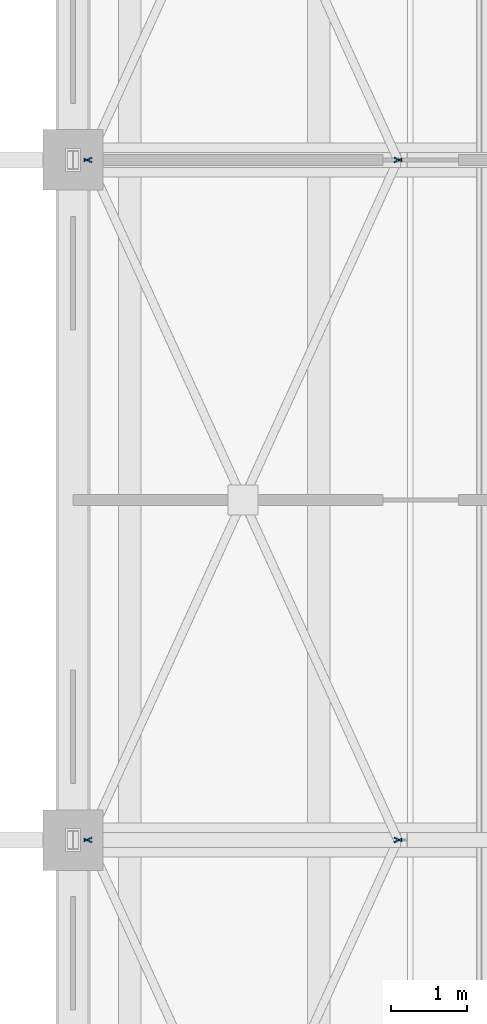
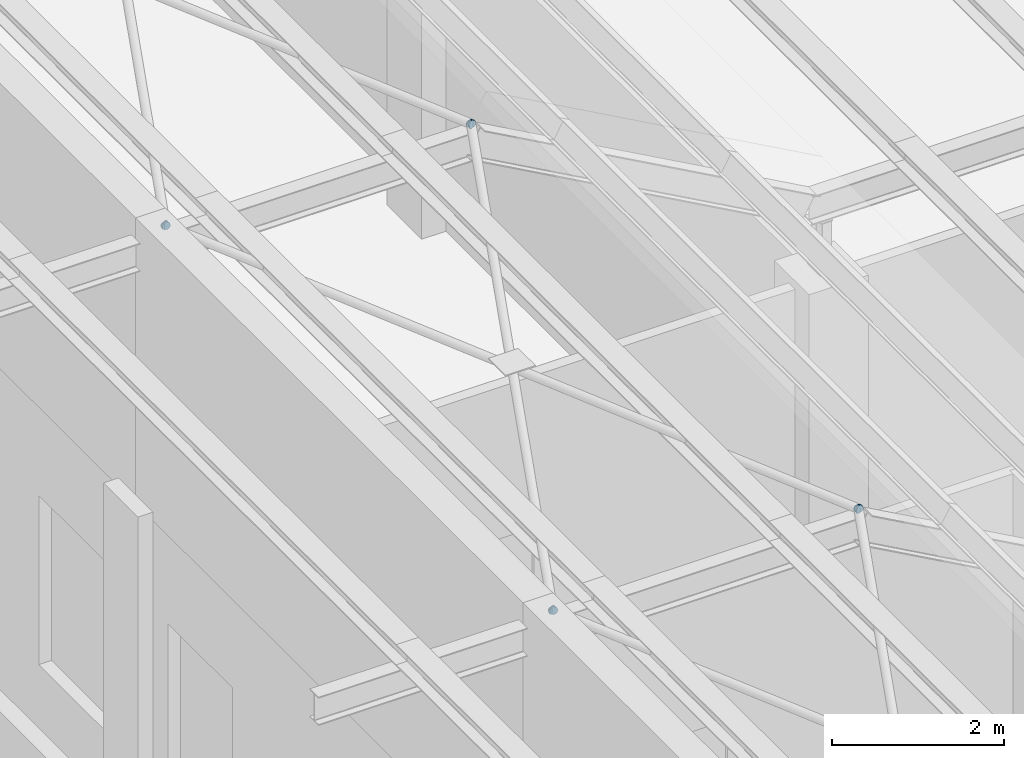
# One storey, part 253 of 437: 8 plates.
"""IFC4 building model written with IfcOpenShell, lengths in metres."""

import ifcopenshell
import ifcopenshell.guid

model = None  # the IFC model being written
_history = None  # IfcOwnerHistory: only IFC2X3 demands one
_inside = {}  # id of a spatial element -> (the spatial element, [elements in it])
_under = {}  # id of a project, library or spatial element -> (it, [spatial elements below it])
_declared = {}  # id of a project -> (the project, [libraries it declares])
_typed = {}  # id of a type object -> (the type object, [elements of that type])
_made_of = {}  # id of a material, layer set ... -> (it, [elements and type objects made of it])


def new_model(schema):
    """Start an empty IFC model of exactly this schema.

    Asked for "IFC4X3", IfcOpenShell would pick the latest addendum, in which some entities
    have other attributes; the version numbers below select the first issue.
    IFC2X3 requires an IfcOwnerHistory on every rooted entity: one is made here for all.
    """
    global model, _history
    if schema == "IFC4X3":
        model = ifcopenshell.file(schema_version=(4, 3, 0, 0))
    else:
        model = ifcopenshell.file(schema=schema)
    _inside.clear()
    _under.clear()
    _declared.clear()
    _typed.clear()
    _made_of.clear()
    _history = None
    if model.schema == "IFC2X3":
        org = make("IfcOrganization", Name="unknown")
        user = make(
            "IfcPersonAndOrganization",
            ThePerson=make("IfcPerson", FamilyName="unknown"),
            TheOrganization=org,
        )
        app = make(
            "IfcApplication",
            ApplicationDeveloper=org,
            Version="unknown",
            ApplicationFullName="unknown",
            ApplicationIdentifier="unknown",
        )
        _history = make(
            "IfcOwnerHistory",
            OwningUser=user,
            OwningApplication=app,
            ChangeAction="ADDED",
            CreationDate=0,
        )
    return model


def make(cls, **values):
    """One entity of the class cls with the attributes given. An attribute that is None is left unset."""
    return model.create_entity(
        cls, **{name: value for name, value in values.items() if value is not None}
    )


def rooted(cls, **values):
    """An entity with a GlobalId (a new one), such as an element, a storey or a relation."""
    return make(cls, GlobalId=ifcopenshell.guid.new(), OwnerHistory=_history, **values)


def si_unit(unit_type, name, prefix=None):
    """IfcSIUnit, for example si_unit("LENGTHUNIT", "METRE", prefix="MILLI")."""
    return make("IfcSIUnit", UnitType=unit_type, Prefix=prefix, Name=name)


def assignment(units):
    """IfcUnitAssignment: the units of a project."""
    return None if units is None else make("IfcUnitAssignment", Units=units)


def point(xyz):
    """IfcCartesianPoint."""
    return None if xyz is None else make("IfcCartesianPoint", Coordinates=xyz)


def direction(xyz):
    """IfcDirection."""
    return None if xyz is None else make("IfcDirection", DirectionRatios=xyz)


def frame(location, z_axis=None, x_axis=None):
    """IfcAxis2Placement3D, a coordinate frame: its origin and axes. An axis left out is left unset."""
    return make(
        "IfcAxis2Placement3D",
        Location=point(location),
        Axis=direction(z_axis),
        RefDirection=direction(x_axis),
    )


def origin():
    """The frame at (0, 0, 0) with its axes left unset."""
    return frame((0.0, 0.0, 0.0))


def place(relative_to, where):
    """IfcLocalPlacement: puts the frame where relative to a parent placement (None: the world)."""
    return make(
        "IfcLocalPlacement", PlacementRelTo=relative_to, RelativePlacement=where
    )


def context(
    kind, dimensions, precision=None, world=None, true_north=None, identifier=None
):
    """IfcGeometricRepresentationContext, for example the 3D "Model" context."""
    return make(
        "IfcGeometricRepresentationContext",
        ContextIdentifier=identifier,
        ContextType=kind,
        CoordinateSpaceDimension=dimensions,
        Precision=precision,
        WorldCoordinateSystem=world,
        TrueNorth=true_north,
    )


def subcontext(parent, identifier, kind, view, scale=None):
    """IfcGeometricRepresentationSubContext, for example "Body" below "Model"."""
    return make(
        "IfcGeometricRepresentationSubContext",
        ContextIdentifier=identifier,
        ContextType=kind,
        ParentContext=parent,
        TargetScale=scale,
        TargetView=view,
    )


def project(units=None, contexts=None):
    """IfcProject with its units and contexts."""
    return rooted(
        "IfcProject",
        Name="project",
        RepresentationContexts=contexts,
        UnitsInContext=assignment(units),
    )


def spatial(cls, under=None, at=None, **own):
    """A site, building, storey or space (cls), placed at a placement, below another one or the project."""
    s = rooted(cls, ObjectPlacement=at, **own)
    if under is not None:
        _under.setdefault(under.id(), (under, []))[1].append(s)
    return s


def polyline(points):
    """IfcPolyline through the points."""
    return make("IfcPolyline", Points=[point(p) for p in points])


def outline(outer, holes=None, kind="AREA"):
    """IfcArbitraryClosedProfileDef: a profile drawn as a closed curve; with holes, ...WithVoids."""
    if holes is None:
        return make("IfcArbitraryClosedProfileDef", ProfileType=kind, OuterCurve=outer)
    return make(
        "IfcArbitraryProfileDefWithVoids",
        ProfileType=kind,
        OuterCurve=outer,
        InnerCurves=holes,
    )


def extrude(swept, where, along, depth):
    """IfcExtrudedAreaSolid: the profile swept, set in the frame where, extruded along a direction by depth."""
    return make(
        "IfcExtrudedAreaSolid",
        SweptArea=swept,
        Position=where,
        ExtrudedDirection=direction(along),
        Depth=depth,
    )


def shape(context_of_items, identifier, shape_type, items):
    """IfcShapeRepresentation: the items that make up one representation, for example the "Body"."""
    return make(
        "IfcShapeRepresentation",
        ContextOfItems=context_of_items,
        RepresentationIdentifier=identifier,
        RepresentationType=shape_type,
        Items=items,
    )


def material(Name=None, Category=None):
    """IfcMaterial."""
    return make("IfcMaterial", Name=Name, Category=Category)


def layer(
    of_material, thickness, ventilated=None, Name=None, Category=None, Priority=None
):
    """IfcMaterialLayer: one layer of a wall or slab, of a material (None: an air gap)."""
    return make(
        "IfcMaterialLayer",
        Material=of_material,
        LayerThickness=thickness,
        IsVentilated=ventilated,
        Name=Name,
        Category=Category,
        Priority=Priority,
    )


def layer_set(layers, Name=None):
    """IfcMaterialLayerSet."""
    return make("IfcMaterialLayerSet", MaterialLayers=layers, LayerSetName=Name)


def made_of(thing, what):
    """Note that an element or type object is made of a material, layer set ...; save() writes the relation."""
    if what is not None:
        _made_of.setdefault(what.id(), (what, []))[1].append(thing)
    return thing


def type_object(cls, material=None, **own):
    """A type object (cls), such as IfcWallType, which elements share."""
    return made_of(rooted(cls, **own), material)


def element(
    cls,
    number,
    at=None,
    inside=None,
    cuts=None,
    type_object=None,
    material=None,
    context=None,
    identifier="Body",
    shape_type=None,
    held_by="IfcProductDefinitionShape",
    body=None,
    shapes=None,
    **own,
):
    """One element of the class cls, such as IfcWall. Its Tag is "e" and its number.

    at: its placement. inside: the storey or other place that contains it. cuts: it is an
    opening in that element (IfcRelVoidsElement). A single representation is given by context,
    identifier, shape_type and body (its items); several are given by shapes. held_by: the class
    of the entity that holds the representations. save() writes the other relations.
    """
    e = rooted(cls, Tag="e%d" % number, ObjectPlacement=at, **own)
    if body is not None:
        shapes = [shape(context, identifier, shape_type, body)]
    if shapes is not None:
        e.Representation = make(held_by, Representations=shapes)
    if inside is not None:
        _inside.setdefault(inside.id(), (inside, []))[1].append(e)
    if cuts is not None:
        rooted(
            "IfcRelVoidsElement", RelatingBuildingElement=cuts, RelatedOpeningElement=e
        )
    if type_object is not None:
        _typed.setdefault(type_object.id(), (type_object, []))[1].append(e)
    return made_of(e, material)


def aggregate(whole, parts):
    """IfcRelAggregates: a whole, such as a stair, and the parts it consists of."""
    return rooted("IfcRelAggregates", RelatingObject=whole, RelatedObjects=parts)


def save(model, path):
    """Write the relations noted so far, then the file.

    IfcRelAggregates (storeys below a building ...), IfcRelContainedInSpatialStructure (elements
    in a storey), IfcRelDefinesByType, IfcRelAssociatesMaterial and IfcRelDeclares: one each for
    every whole, place, type object, material and project.
    """
    for whole, parts in _under.values():
        aggregate(whole, parts)
    for where, things in _inside.values():
        rooted(
            "IfcRelContainedInSpatialStructure",
            RelatedElements=things,
            RelatingStructure=where,
        )
    for kind, things in _typed.values():
        rooted("IfcRelDefinesByType", RelatedObjects=things, RelatingType=kind)
    for what, things in _made_of.values():
        rooted("IfcRelAssociatesMaterial", RelatedObjects=things, RelatingMaterial=what)
    for by, libraries in _declared.values():
        rooted("IfcRelDeclares", RelatingContext=by, RelatedDefinitions=libraries)
    model.write(path)


model = new_model("IFC4")

# Units and contexts
model_context = context("Model", 3, precision=1e-05, world=origin(), true_north=direction((0.0, 1.0)))
body_context = subcontext(model_context, "Body", "Model", "MODEL_VIEW")
ifc_project = project(units=[si_unit("LENGTHUNIT", "METRE"), si_unit("AREAUNIT", "SQUARE_METRE"), si_unit("VOLUMEUNIT", "CUBIC_METRE"), si_unit("PLANEANGLEUNIT", "RADIAN"), si_unit("MASSUNIT", "GRAM", prefix="KILO")], contexts=[model_context])

# Site, building, storey
site_placement = place(None, origin())
site = spatial("IfcSite", under=ifc_project, at=site_placement, CompositionType="ELEMENT")
building_placement = place(site_placement, origin())
building = spatial("IfcBuilding", under=site, at=building_placement, Name="Opaline Strait Convention Centre", CompositionType="ELEMENT")
storey_placement = place(building_placement, frame((0.0, 0.0, 11.5)))
storey = spatial("IfcBuildingStorey", under=building, at=storey_placement, Name="L02", CompositionType="ELEMENT", Elevation=11.5)

# Plates
ifc_material = material(Name="Steel Q355B", Category="steel")
ifc_layer = layer(ifc_material, 0.014892578125)
ifc_layer_set = layer_set([ifc_layer], Name="Steel Q355B")
plate_type = type_object("IfcPlateType", Name="Brace end plate 15 Q355B", PredefinedType="SHEET", material=ifc_layer_set)
plate_1_placement = place(storey_placement, frame((13.358154296875, 44.989990234375, 8.35693359375), z_axis=(0.414546759903, 0.910028012675, 0.0), x_axis=(-0.175211684293, 0.079814505718, -0.981290227387)))
element("IfcPlate", 1, at=plate_1_placement, inside=storey, type_object=plate_type, Name="Brace end plate 4-9-1 B", PredefinedType="SHEET", context=body_context, shape_type="SweptSolid", body=[
    extrude(outline(polyline([(0.0, 0.0), (0.022142802423366807, -8.673617379884035e-19), (0.042727250513924286, 0.008542007924152075), (0.05828100582850139, 0.024413026651226875), (0.06682195282960912, 0.04511902450470354), (0.06669550240146707, 0.06729920113890982), (0.05827249081068095, 0.08777145225734975), (0.042441871869317464, 0.10345829089687414), (0.021960200179139418, 0.11192457784020315), (-0.000441661016957879, 0.11187226917352971), (-0.02078653629809482, 0.10328325578414493), (-0.0365603784587825, 0.08755855665420899), (-0.04505854916977963, 0.06707057676838037), (-0.04497487503174818, 0.044672382166526046), (-0.036331776594851484, 0.024053811450947264), (-0.020740730462908537, 0.008413978276655572), (0.0, 0.0)])), origin(), (0.0, 0.0, -1.0), 0.014892578125),
])
plate_2_placement = place(storey_placement, frame((9.24560546875, 45.037353515625, 8.35693359375), z_axis=(-0.414546759903, 0.910028012675, 0.0), x_axis=(-0.179211623196, -0.081636605355, -0.980417594078)))
element("IfcPlate", 2, at=plate_2_placement, inside=storey, type_object=plate_type, Name="Brace end plate 4-9-3 B", PredefinedType="SHEET", context=body_context, shape_type="SweptSolid", body=[
    extrude(outline(polyline([(0.0, 0.0), (0.022162510909890694, 8.673617379884035e-19), (0.042785030570389286, 0.008449679604664397), (0.058389819747743, 0.024151614034705997), (0.0669797153948215, 0.04460130640421782), (0.06699641236914419, 0.0669996510750849), (0.058685155940435, 0.08760866746105381), (0.04292499144569943, 0.10336628840039641), (0.022461533519843202, 0.11182504651710427), (7.95936576276253e-05, 0.11197235089320826), (-0.02030356623869179, 0.1034745927271315), (-0.03616764599207897, 0.08772151104381062), (-0.044801294476851855, 0.06705399458378838), (-0.04477423861348016, 0.04487347400343172), (-0.03620369160873751, 0.024315604870742094), (-0.02068288687818111, 0.008606062492811843), (0.0, 0.0)])), origin(), (0.0, 0.0, -1.0), 0.014892578125),
])
plate_3_placement = place(storey_placement, frame((9.251953125, 44.976318359375, 8.35693359375), z_axis=(0.41375908061, 0.910386414229, 0.0), x_axis=(-0.188026382977, 0.085455606691, -0.978439276905)))
element("IfcPlate", 3, at=plate_3_placement, inside=storey, type_object=plate_type, Name="Brace end plate 5-9-1 A", PredefinedType="SHEET", context=body_context, shape_type="SweptSolid", body=[
    extrude(outline(polyline([(0.0, 0.0), (0.02220732153531475, 0.0), (0.042911707863981734, 0.00824702728410063), (0.05862383718407851, 0.02357778397414023), (0.06745975706591488, 0.04415970001291812), (0.0676502081119258, 0.06633939224732127), (0.059520564651876925, 0.08692997013084658), (0.04391568093916447, 0.102841370967483), (0.023557031363154568, 0.11159928561350353), (0.0011567379299084087, 0.11186717929579817), (-0.01930877162217055, 0.1035697285014835), (-0.03530568259751196, 0.08807192514957736), (-0.044095697600691715, 0.06770747928288005), (-0.044332053525359266, 0.04531031687639631), (-0.035917628410065745, 0.024886785654737544), (-0.020551621473941312, 0.009025808328315173), (0.0, 0.0)])), origin(), (0.0, 0.0, -1.0), 0.014892578125),
])
plate_4_placement = place(storey_placement, frame((13.358154296875, 53.989990234375, 8.35693359375), z_axis=(0.414546759903, 0.910028012675, 0.0), x_axis=(-0.175211684293, 0.079814505718, -0.981290227387)))
element("IfcPlate", 4, at=plate_4_placement, inside=storey, type_object=plate_type, Name="Brace end plate 5-9-1 B", PredefinedType="SHEET", context=body_context, shape_type="SweptSolid", body=[
    extrude(outline(polyline([(0.0, 0.0), (0.022142802423366807, -8.673617379884035e-19), (0.042727250513924286, 0.008542007924152075), (0.05828100582850139, 0.024413026651226875), (0.06682195282960912, 0.04511902450470354), (0.06669550240146707, 0.06729920113890982), (0.05827249081068095, 0.08777145225734975), (0.042441871869317464, 0.10345829089687414), (0.021960200179139418, 0.11192457784020315), (-0.000441661016957879, 0.11187226917352971), (-0.02078653629809482, 0.10328325578414493), (-0.0365603784587825, 0.08755855665420899), (-0.04505854916977963, 0.06707057676838037), (-0.04497487503174818, 0.044672382166526046), (-0.036331776594851484, 0.024053811450947264), (-0.020740730462908537, 0.008413978276655572), (0.0, 0.0)])), origin(), (0.0, 0.0, -1.0), 0.014892578125),
])
plate_5_placement = place(storey_placement, frame((13.351806640625, 45.023681640625, 8.35693359375), z_axis=(-0.41375908061, 0.910386414229, 0.0), x_axis=(-0.179276737257, -0.081479003666, -0.980418800024)))
element("IfcPlate", 5, at=plate_5_placement, inside=storey, type_object=plate_type, Name="Brace end plate 5-9-2 A", PredefinedType="SHEET", context=body_context, shape_type="SweptSolid", body=[
    extrude(outline(polyline([(0.0, 0.0), (0.022162483649305856, 8.673617379884035e-19), (0.04278494893070467, 0.008449792777866992), (0.05838965693499103, 0.0241518973650234), (0.06697942188954967, 0.044601615143985696), (0.06699599346920582, 0.06700001851048218), (0.05862092687885372, 0.08729192251350287), (0.04286066325311855, 0.10304943382457994), (0.022460825206383577, 0.11182506698919197), (1.5212763796283724e-05, 0.11165523393934706), (-0.020367892459002966, 0.10315736406586684), (-0.03616819178720702, 0.08772124671978179), (-0.04480172547644752, 0.06705361879536137), (-0.0447745283214218, 0.044873125574323006), (-0.03620387040715202, 0.02431523433023096), (-0.020682966840016408, 0.008605800114767123), (0.0, 0.0)])), origin(), (0.0, 0.0, -1.0), 0.014892578125),
])
plate_6_placement = place(storey_placement, frame((9.24560546875, 54.037353515625, 8.35693359375), z_axis=(-0.414546759903, 0.910028012675, 0.0), x_axis=(-0.179211623196, -0.081636605355, -0.980417594078)))
element("IfcPlate", 6, at=plate_6_placement, inside=storey, type_object=plate_type, Name="Brace end plate 5-9-3 B", PredefinedType="SHEET", context=body_context, shape_type="SweptSolid", body=[
    extrude(outline(polyline([(0.0, 0.0), (0.022162510909890694, 8.673617379884035e-19), (0.042785030570389286, 0.008449679604664397), (0.058389819747743, 0.024151614034705997), (0.0669797153948215, 0.04460130640421782), (0.06699641236914419, 0.0669996510750849), (0.058685155940435, 0.08760866746105381), (0.04292499144569943, 0.10336628840039641), (0.022461533519843202, 0.11182504651710427), (7.95936576276253e-05, 0.11197235089320826), (-0.02030356623869179, 0.1034745927271315), (-0.03616764599207897, 0.08772151104381062), (-0.044801294476851855, 0.06705399458378838), (-0.04477423861348016, 0.04487347400343172), (-0.03620369160873751, 0.024315604870742094), (-0.02068288687818111, 0.008606062492811843), (0.0, 0.0)])), origin(), (0.0, 0.0, -1.0), 0.014892578125),
])
plate_7_placement = place(storey_placement, frame((9.251953125, 53.976318359375, 8.35693359375), z_axis=(0.41375908061, 0.910386414229, 0.0), x_axis=(-0.188026382977, 0.085455606691, -0.978439276905)))
element("IfcPlate", 7, at=plate_7_placement, inside=storey, type_object=plate_type, Name="Brace end plate 6-9-1 A", PredefinedType="SHEET", context=body_context, shape_type="SweptSolid", body=[
    extrude(outline(polyline([(0.0, 0.0), (0.02220732153531475, 0.0), (0.042911707863981734, 0.00824702728410063), (0.05862383718407851, 0.02357778397414023), (0.06745975706591488, 0.04415970001291812), (0.0676502081119258, 0.06633939224732127), (0.059520564651876925, 0.08692997013084658), (0.04391568093916447, 0.102841370967483), (0.023557031363154568, 0.11159928561350353), (0.0011567379299084087, 0.11186717929579817), (-0.01930877162217055, 0.1035697285014835), (-0.03530568259751196, 0.08807192514957736), (-0.044095697600691715, 0.06770747928288005), (-0.044332053525359266, 0.04531031687639631), (-0.035917628410065745, 0.024886785654737544), (-0.020551621473941312, 0.009025808328315173), (0.0, 0.0)])), origin(), (0.0, 0.0, -1.0), 0.014892578125),
])
plate_8_placement = place(storey_placement, frame((13.351806640625, 54.023681640625, 8.35693359375), z_axis=(-0.41375908061, 0.910386414229, 0.0), x_axis=(-0.179276737257, -0.081479003666, -0.980418800024)))
element("IfcPlate", 8, at=plate_8_placement, inside=storey, type_object=plate_type, Name="Brace end plate 6-9-2 A", PredefinedType="SHEET", context=body_context, shape_type="SweptSolid", body=[
    extrude(outline(polyline([(0.0, 0.0), (0.022162483649305856, 8.673617379884035e-19), (0.04278494893070467, 0.008449792777866992), (0.05838965693499103, 0.0241518973650234), (0.06697942188954967, 0.044601615143985696), (0.06699599346920582, 0.06700001851048218), (0.05862092687885372, 0.08729192251350287), (0.04286066325311855, 0.10304943382457994), (0.022460825206383577, 0.11182506698919197), (1.5212763796283724e-05, 0.11165523393934706), (-0.020367892459002966, 0.10315736406586684), (-0.03616819178720702, 0.08772124671978179), (-0.04480172547644752, 0.06705361879536137), (-0.0447745283214218, 0.044873125574323006), (-0.03620387040715202, 0.02431523433023096), (-0.020682966840016408, 0.008605800114767123), (0.0, 0.0)])), origin(), (0.0, 0.0, -1.0), 0.014892578125),
])

save(model, "model.ifc")
